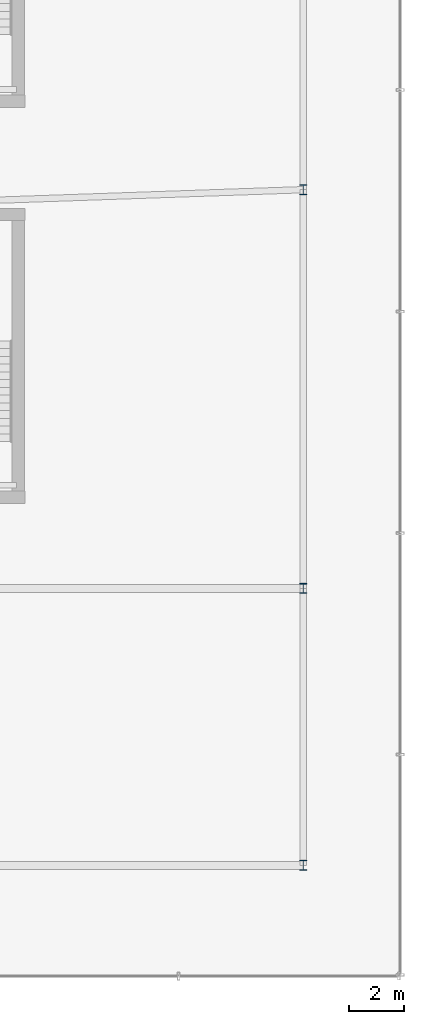
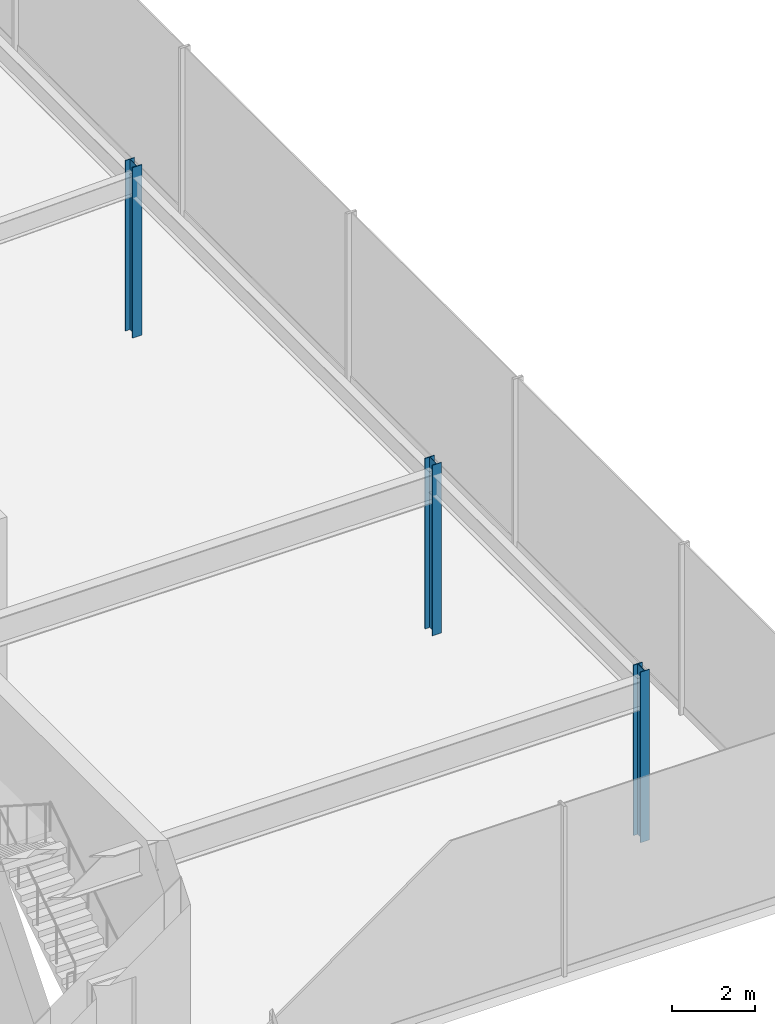
# One storey, part 4 of 39: 3 columns.
"""IFC4 building model written with IfcOpenShell, lengths in metres."""

import ifcopenshell
import ifcopenshell.guid

model = None  # the IFC model being written
_history = None  # IfcOwnerHistory: only IFC2X3 demands one
_inside = {}  # id of a spatial element -> (the spatial element, [elements in it])
_under = {}  # id of a project, library or spatial element -> (it, [spatial elements below it])
_declared = {}  # id of a project -> (the project, [libraries it declares])
_typed = {}  # id of a type object -> (the type object, [elements of that type])
_made_of = {}  # id of a material, layer set ... -> (it, [elements and type objects made of it])


def new_model(schema):
    """Start an empty IFC model of exactly this schema.

    Asked for "IFC4X3", IfcOpenShell would pick the latest addendum, in which some entities
    have other attributes; the version numbers below select the first issue.
    IFC2X3 requires an IfcOwnerHistory on every rooted entity: one is made here for all.
    """
    global model, _history
    if schema == "IFC4X3":
        model = ifcopenshell.file(schema_version=(4, 3, 0, 0))
    else:
        model = ifcopenshell.file(schema=schema)
    _inside.clear()
    _under.clear()
    _declared.clear()
    _typed.clear()
    _made_of.clear()
    _history = None
    if model.schema == "IFC2X3":
        org = make("IfcOrganization", Name="unknown")
        user = make(
            "IfcPersonAndOrganization",
            ThePerson=make("IfcPerson", FamilyName="unknown"),
            TheOrganization=org,
        )
        app = make(
            "IfcApplication",
            ApplicationDeveloper=org,
            Version="unknown",
            ApplicationFullName="unknown",
            ApplicationIdentifier="unknown",
        )
        _history = make(
            "IfcOwnerHistory",
            OwningUser=user,
            OwningApplication=app,
            ChangeAction="ADDED",
            CreationDate=0,
        )
    return model


def make(cls, **values):
    """One entity of the class cls with the attributes given. An attribute that is None is left unset."""
    return model.create_entity(
        cls, **{name: value for name, value in values.items() if value is not None}
    )


def rooted(cls, **values):
    """An entity with a GlobalId (a new one), such as an element, a storey or a relation."""
    return make(cls, GlobalId=ifcopenshell.guid.new(), OwnerHistory=_history, **values)


def si_unit(unit_type, name, prefix=None):
    """IfcSIUnit, for example si_unit("LENGTHUNIT", "METRE", prefix="MILLI")."""
    return make("IfcSIUnit", UnitType=unit_type, Prefix=prefix, Name=name)


def derived_unit(unit_type, elements):
    """IfcDerivedUnit: a product of units, each with its exponent."""
    return make(
        "IfcDerivedUnit",
        Elements=[
            make("IfcDerivedUnitElement", Unit=unit, Exponent=power)
            for unit, power in elements
        ],
        UnitType=unit_type,
    )


def assignment(units):
    """IfcUnitAssignment: the units of a project."""
    return None if units is None else make("IfcUnitAssignment", Units=units)


def point(xyz):
    """IfcCartesianPoint."""
    return None if xyz is None else make("IfcCartesianPoint", Coordinates=xyz)


def direction(xyz):
    """IfcDirection."""
    return None if xyz is None else make("IfcDirection", DirectionRatios=xyz)


def frame(location, z_axis=None, x_axis=None):
    """IfcAxis2Placement3D, a coordinate frame: its origin and axes. An axis left out is left unset."""
    return make(
        "IfcAxis2Placement3D",
        Location=point(location),
        Axis=direction(z_axis),
        RefDirection=direction(x_axis),
    )


def frame_2d(location, x_axis=None):
    """IfcAxis2Placement2D, a coordinate frame in the plane: its origin and x axis."""
    return make(
        "IfcAxis2Placement2D", Location=point(location), RefDirection=direction(x_axis)
    )


def origin():
    """The frame at (0, 0, 0) with its axes left unset."""
    return frame((0.0, 0.0, 0.0))


def origin_2d():
    """The frame at (0, 0) in the plane with its x axis left unset."""
    return frame_2d((0.0, 0.0))


def place(relative_to, where):
    """IfcLocalPlacement: puts the frame where relative to a parent placement (None: the world)."""
    return make(
        "IfcLocalPlacement", PlacementRelTo=relative_to, RelativePlacement=where
    )


def context(
    kind, dimensions, precision=None, world=None, true_north=None, identifier=None
):
    """IfcGeometricRepresentationContext, for example the 3D "Model" context."""
    return make(
        "IfcGeometricRepresentationContext",
        ContextIdentifier=identifier,
        ContextType=kind,
        CoordinateSpaceDimension=dimensions,
        Precision=precision,
        WorldCoordinateSystem=world,
        TrueNorth=true_north,
    )


def subcontext(parent, identifier, kind, view, scale=None):
    """IfcGeometricRepresentationSubContext, for example "Body" below "Model"."""
    return make(
        "IfcGeometricRepresentationSubContext",
        ContextIdentifier=identifier,
        ContextType=kind,
        ParentContext=parent,
        TargetScale=scale,
        TargetView=view,
    )


def project(units=None, contexts=None):
    """IfcProject with its units and contexts."""
    return rooted(
        "IfcProject",
        Name="project",
        RepresentationContexts=contexts,
        UnitsInContext=assignment(units),
    )


def spatial(cls, under=None, at=None, **own):
    """A site, building, storey or space (cls), placed at a placement, below another one or the project."""
    s = rooted(cls, ObjectPlacement=at, **own)
    if under is not None:
        _under.setdefault(under.id(), (under, []))[1].append(s)
    return s


def profile(cls, at=None, kind="AREA", **sizes):
    """A parametric profile (cls). Its sizes go by their IFC names, for example OverallWidth=200.0."""
    return make(cls, ProfileType=kind, Position=at, **sizes)


def i_section(**sizes):
    """IfcIShapeProfileDef."""
    return profile("IfcIShapeProfileDef", **sizes)


def extrude(swept, where, along, depth):
    """IfcExtrudedAreaSolid: the profile swept, set in the frame where, extruded along a direction by depth."""
    return make(
        "IfcExtrudedAreaSolid",
        SweptArea=swept,
        Position=where,
        ExtrudedDirection=direction(along),
        Depth=depth,
    )


def shape(context_of_items, identifier, shape_type, items):
    """IfcShapeRepresentation: the items that make up one representation, for example the "Body"."""
    return make(
        "IfcShapeRepresentation",
        ContextOfItems=context_of_items,
        RepresentationIdentifier=identifier,
        RepresentationType=shape_type,
        Items=items,
    )


def source(mapping_origin, context_of_items, identifier, shape_type, items):
    """IfcRepresentationMap: a shape defined once, which mapped items show again and again."""
    return make(
        "IfcRepresentationMap",
        MappingOrigin=mapping_origin,
        MappedRepresentation=shape(context_of_items, identifier, shape_type, items),
    )


def transform(
    local_origin,
    x_axis=None,
    y_axis=None,
    z_axis=None,
    scale=None,
    scale2=None,
    scale3=None,
    uniform=True,
):
    """IfcCartesianTransformationOperator3D, or its non-uniform kind. x_axis, y_axis, z_axis: its Axis1, 2, 3."""
    if uniform:
        return make(
            "IfcCartesianTransformationOperator3D",
            Axis1=direction(x_axis),
            Axis2=direction(y_axis),
            LocalOrigin=point(local_origin),
            Scale=scale,
            Axis3=direction(z_axis),
        )
    return make(
        "IfcCartesianTransformationOperator3DnonUniform",
        Axis1=direction(x_axis),
        Axis2=direction(y_axis),
        LocalOrigin=point(local_origin),
        Scale=scale,
        Axis3=direction(z_axis),
        Scale2=scale2,
        Scale3=scale3,
    )


def mapped(mapping_source, mapping_target):
    """IfcMappedItem: shows the shape of a source again, moved by a transform."""
    return make(
        "IfcMappedItem", MappingSource=mapping_source, MappingTarget=mapping_target
    )


def material(Name=None, Category=None):
    """IfcMaterial."""
    return make("IfcMaterial", Name=Name, Category=Category)


def material_profile(
    of_material, cross_section, Name=None, Category=None, Priority=None
):
    """IfcMaterialProfile: a cross section and its material."""
    return make(
        "IfcMaterialProfile",
        Name=Name,
        Material=of_material,
        Profile=cross_section,
        Priority=Priority,
        Category=Category,
    )


def profile_set(profiles, Name=None, composite=None):
    """IfcMaterialProfileSet."""
    return make(
        "IfcMaterialProfileSet",
        Name=Name,
        MaterialProfiles=profiles,
        CompositeProfile=composite,
    )


def made_of(thing, what):
    """Note that an element or type object is made of a material, layer set ...; save() writes the relation."""
    if what is not None:
        _made_of.setdefault(what.id(), (what, []))[1].append(thing)
    return thing


def type_object(cls, material=None, **own):
    """A type object (cls), such as IfcWallType, which elements share."""
    return made_of(rooted(cls, **own), material)


def element(
    cls,
    number,
    at=None,
    inside=None,
    cuts=None,
    type_object=None,
    material=None,
    context=None,
    identifier="Body",
    shape_type=None,
    held_by="IfcProductDefinitionShape",
    body=None,
    shapes=None,
    **own,
):
    """One element of the class cls, such as IfcWall. Its Tag is "e" and its number.

    at: its placement. inside: the storey or other place that contains it. cuts: it is an
    opening in that element (IfcRelVoidsElement). A single representation is given by context,
    identifier, shape_type and body (its items); several are given by shapes. held_by: the class
    of the entity that holds the representations. save() writes the other relations.
    """
    e = rooted(cls, Tag="e%d" % number, ObjectPlacement=at, **own)
    if body is not None:
        shapes = [shape(context, identifier, shape_type, body)]
    if shapes is not None:
        e.Representation = make(held_by, Representations=shapes)
    if inside is not None:
        _inside.setdefault(inside.id(), (inside, []))[1].append(e)
    if cuts is not None:
        rooted(
            "IfcRelVoidsElement", RelatingBuildingElement=cuts, RelatedOpeningElement=e
        )
    if type_object is not None:
        _typed.setdefault(type_object.id(), (type_object, []))[1].append(e)
    return made_of(e, material)


def aggregate(whole, parts):
    """IfcRelAggregates: a whole, such as a stair, and the parts it consists of."""
    return rooted("IfcRelAggregates", RelatingObject=whole, RelatedObjects=parts)


def save(model, path):
    """Write the relations noted so far, then the file.

    IfcRelAggregates (storeys below a building ...), IfcRelContainedInSpatialStructure (elements
    in a storey), IfcRelDefinesByType, IfcRelAssociatesMaterial and IfcRelDeclares: one each for
    every whole, place, type object, material and project.
    """
    for whole, parts in _under.values():
        aggregate(whole, parts)
    for where, things in _inside.values():
        rooted(
            "IfcRelContainedInSpatialStructure",
            RelatedElements=things,
            RelatingStructure=where,
        )
    for kind, things in _typed.values():
        rooted("IfcRelDefinesByType", RelatedObjects=things, RelatingType=kind)
    for what, things in _made_of.values():
        rooted("IfcRelAssociatesMaterial", RelatedObjects=things, RelatingMaterial=what)
    for by, libraries in _declared.values():
        rooted("IfcRelDeclares", RelatingContext=by, RelatedDefinitions=libraries)
    model.write(path)


model = new_model("IFC4")

# Units and contexts
model_context = context("Model", 3, precision=1e-05, world=origin(), true_north=direction((0.0, 1.0)))
body_context = subcontext(model_context, "Body", "Model", "MODEL_VIEW")
ifc_project = project(units=[si_unit("LENGTHUNIT", "METRE"), si_unit("AREAUNIT", "SQUARE_METRE"), si_unit("VOLUMEUNIT", "CUBIC_METRE"), si_unit("PLANEANGLEUNIT", "RADIAN"), si_unit("MASSUNIT", "GRAM", prefix="KILO"), derived_unit("THERMALTRANSMITTANCEUNIT", [(si_unit("POWERUNIT", "WATT"), 1), (si_unit("LENGTHUNIT", "METRE"), -2), (si_unit("THERMODYNAMICTEMPERATUREUNIT", "KELVIN"), -1)])], contexts=[model_context])

# Site, building, storey
site_placement = place(None, origin())
site = spatial("IfcSite", under=ifc_project, at=site_placement, CompositionType="ELEMENT")
building_placement = place(site_placement, origin())
building = spatial("IfcBuilding", under=site, at=building_placement, Name="Skarnbrae Concourse Arena and Tower", CompositionType="ELEMENT")
storey_placement = place(building_placement, frame((0.0, 0.0, 16.0)))
storey = spatial("IfcBuildingStorey", under=building, at=storey_placement, Name="L03", CompositionType="ELEMENT", Elevation=16.0)

# Columns
ifc_material = material(Name="Steel CSA G40.21 350W", Category="steel")
ifc_material_profile = material_profile(ifc_material, i_section(OverallWidth=0.257080078125, OverallDepth=0.363037109375, WebThickness=0.012939453125, FlangeThickness=0.021728515625, at=origin_2d()), Name="W360X122")
ifc_profile_set = profile_set([ifc_material_profile], Name="Steel CSA G40.21 350W")
column_type = type_object("IfcColumnType", Name="COL-POD-W360X122", PredefinedType="COLUMN", material=ifc_profile_set)
shared_shape = source(origin(), body_context, "Body", "SweptSolid", [
    extrude(i_section(OverallWidth=0.257080078125, OverallDepth=0.363037109375, WebThickness=0.012939453125, FlangeThickness=0.021728515625, at=origin_2d()), origin(), (0.0, 0.0, 1.0), 5.0),
])
for number, where, z_axis, x_axis, name in (
    (1, (78.5, 4.0, 0.0), (0.0, 0.0, 1.0), (1.0, 0.0, 0.0), "L03 Podium mega-column PC-EP1"),
    (2, (78.5, 14.0, 0.0), (0.0, 0.0, 1.0), (1.0, 0.0, 0.0), "L03 Podium mega-column PC-EP2"),
    (3, (78.5, 28.39990234375, 0.0), (0.0, 0.0, 1.0), (1.0, 0.0, 0.0), "L03 Podium mega-column PC-EP3"),
):
    element("IfcColumn", number, at=place(storey_placement, frame(where, z_axis=z_axis, x_axis=x_axis)), inside=storey, type_object=column_type, Name=name, PredefinedType="COLUMN", context=body_context, shape_type="MappedRepresentation", body=[
        mapped(shared_shape, transform((0.0, 0.0, 0.0))),
    ])

save(model, "model.ifc")
